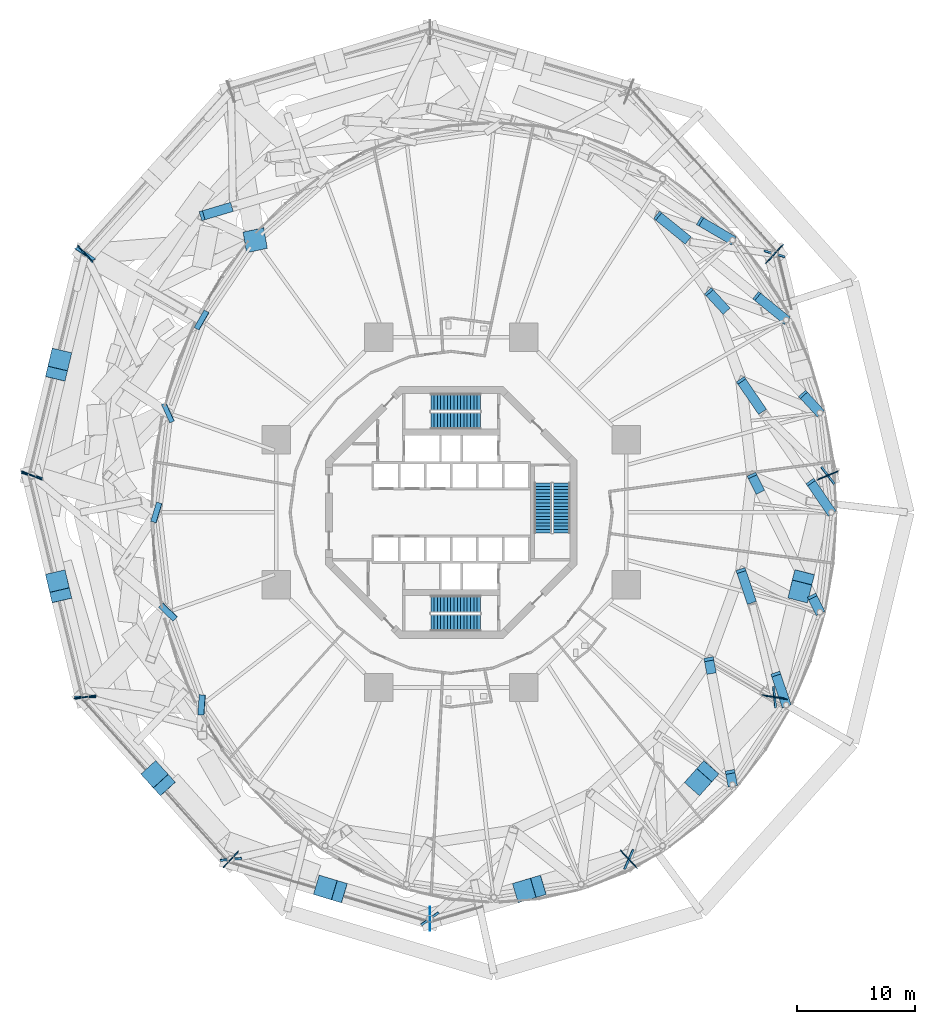
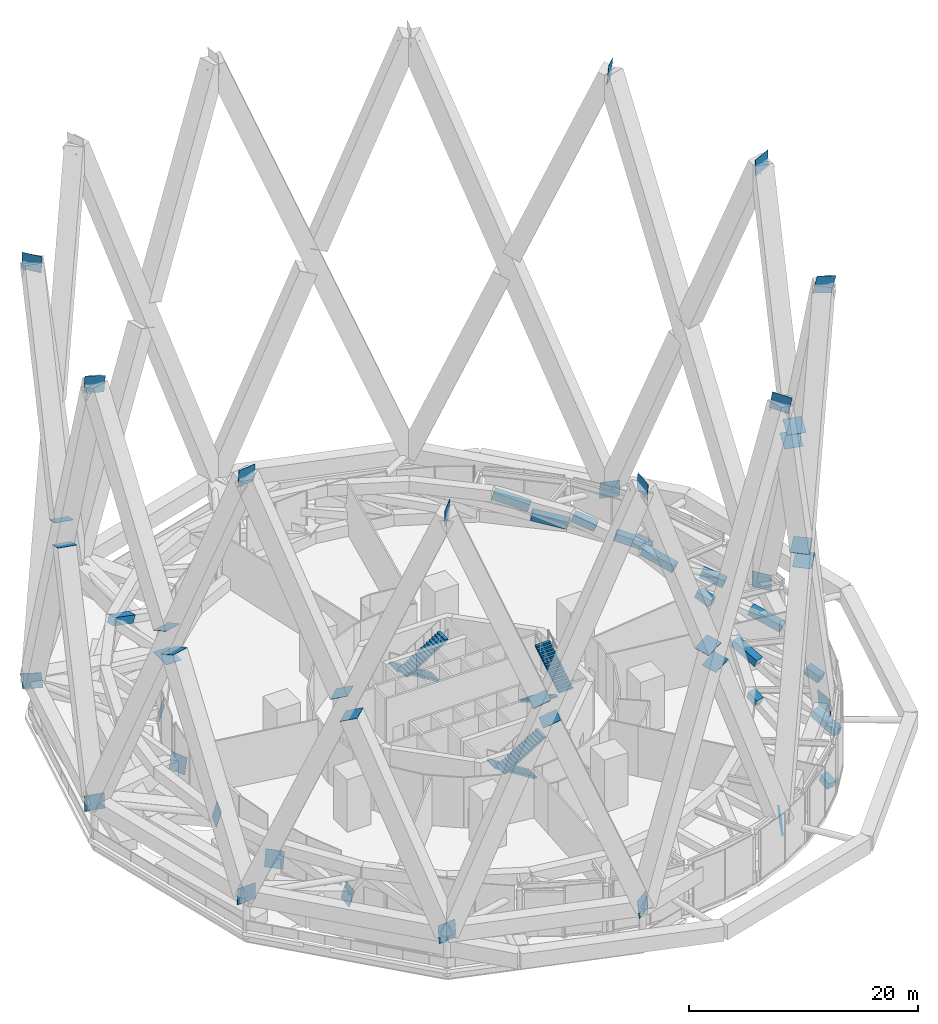
# One storey, part 42 of 51: 52 discrete accessories, 6 stair flights, 3 elements without a shape of their own.
"""IFC4 building model written with IfcOpenShell, lengths in metres."""

from ifc_helpers import new_model, si_unit, direction, frame, origin, origin_2d, place, context, subcontext, project, spatial, polyline, rectangle, outline, extrude, material, layer, layer_set, type_object, element, aggregate, save


model = new_model("IFC4")

# Units and contexts
model_context = context("Model", 3, precision=1e-05, world=origin(), true_north=direction((0.0, 1.0)))
body_context = subcontext(model_context, "Body", "Model", "MODEL_VIEW")
ifc_project = project(units=[si_unit("LENGTHUNIT", "METRE"), si_unit("AREAUNIT", "SQUARE_METRE"), si_unit("VOLUMEUNIT", "CUBIC_METRE"), si_unit("PLANEANGLEUNIT", "RADIAN"), si_unit("MASSUNIT", "GRAM", prefix="KILO")], contexts=[model_context])

# Site, building, storey
site_placement = place(None, origin())
site = spatial("IfcSite", under=ifc_project, at=site_placement, CompositionType="ELEMENT")
building_placement = place(site_placement, origin())
building = spatial("IfcBuilding", under=site, at=building_placement, Name="Nagisa Residences", CompositionType="ELEMENT")
storey_placement = place(building_placement, frame((0.0, 0.0, 67.699951171875)))
storey = spatial("IfcBuildingStorey", under=building, at=storey_placement, Name="L16", CompositionType="ELEMENT", Elevation=67.699951171875)

# Stair, stair flights
ifc_material_1 = material(Name="Concrete C60", Category="concrete")
stair_type = type_object("IfcStairType", Name="Exit stair", PredefinedType="HALF_TURN_STAIR", material=ifc_material_1)
stair_1_placement = place(storey_placement, origin())
stair_1 = element("IfcStair", 1, at=stair_1_placement, inside=storey, type_object=stair_type, Name="L16 Exit stair E", PredefinedType="HALF_TURN_STAIR")
ifc_material_2 = material(Name="Concrete C60", Category="concrete")
stair_flight_type = type_object("IfcStairFlightType", Name="Exit stair flight", PredefinedType="STRAIGHT", material=ifc_material_2)
stair_flight_1_placement = place(storey_placement, frame((7.737060546875, 2.47509765625, 0.0), z_axis=(0.0, 0.0, 1.0), x_axis=(0.0, -1.0, 0.0)))
stair_flight_1 = element("IfcStairFlight", 2, at=stair_flight_1_placement, type_object=stair_flight_type, Name="ST-E flight 1", NumberOfRisers=16, NumberOfTreads=15, PredefinedType="STRAIGHT", RiserHeight=0.175, TreadLength=0.28, context=body_context, shape_type="SweptSolid", body=[
    extrude(outline(polyline([(0.0, 0.0), (0.0, 0.175048828125), (0.280029296875, 0.175048828125), (0.280029296875, 0.35009765625), (0.56005859375, 0.35009765625), (0.56005859375, 0.52490234375), (0.840087890625, 0.52490234375), (0.840087890625, 0.699951171875), (1.1201171875, 0.699951171875), (1.1201171875, 0.875), (1.39990234375, 0.875), (1.39990234375, 1.050048828125), (1.679931640625, 1.050048828125), (1.679931640625, 1.22509765625), (1.9599609375, 1.22509765625), (1.9599609375, 1.39990234375), (2.239990234375, 1.39990234375), (2.239990234375, 1.574951171875), (2.52001953125, 1.574951171875), (2.52001953125, 1.75), (2.800048828125, 1.75), (2.800048828125, 1.925048828125), (3.080078125, 1.925048828125), (3.080078125, 2.10009765625), (3.360107421875, 2.10009765625), (3.360107421875, 2.27490234375), (3.639892578125, 2.27490234375), (3.639892578125, 2.449951171875), (3.919921875, 2.449951171875), (3.919921875, 2.625), (4.199951171875, 2.625), (4.199951171875, 2.800048828125), (4.199951171875, 2.4482421875), (0.28271484375, 0.0), (0.0, 0.0)])), frame((0.0, 0.71240234375, 0.0), z_axis=(0.0, -1.0, 0.0), x_axis=(1.0, 0.0, 0.0)), (0.0, 0.0, 1.0), 1.425048828125),
])
stair_flight_2_placement = place(storey_placement, frame((9.31201171875, -1.72509765625, 2.800048828125), z_axis=(0.0, 0.0, 1.0), x_axis=(0.0, 1.0, 0.0)))
stair_flight_2 = element("IfcStairFlight", 3, at=stair_flight_2_placement, type_object=stair_flight_type, Name="ST-E flight 2", NumberOfRisers=16, NumberOfTreads=15, PredefinedType="STRAIGHT", RiserHeight=0.175, TreadLength=0.28, context=body_context, shape_type="SweptSolid", body=[
    extrude(outline(polyline([(0.0, 0.0), (0.0, 0.175048828125), (0.280029296875, 0.175048828125), (0.280029296875, 0.35009765625), (0.56005859375, 0.35009765625), (0.56005859375, 0.52490234375), (0.840087890625, 0.52490234375), (0.840087890625, 0.699951171875), (1.1201171875, 0.699951171875), (1.1201171875, 0.875), (1.39990234375, 0.875), (1.39990234375, 1.050048828125), (1.679931640625, 1.050048828125), (1.679931640625, 1.22509765625), (1.9599609375, 1.22509765625), (1.9599609375, 1.39990234375), (2.239990234375, 1.39990234375), (2.239990234375, 1.574951171875), (2.52001953125, 1.574951171875), (2.52001953125, 1.75), (2.800048828125, 1.75), (2.800048828125, 1.925048828125), (3.080078125, 1.925048828125), (3.080078125, 2.10009765625), (3.360107421875, 2.10009765625), (3.360107421875, 2.27490234375), (3.639892578125, 2.27490234375), (3.639892578125, 2.449951171875), (3.919921875, 2.449951171875), (3.919921875, 2.625), (4.199951171875, 2.625), (4.199951171875, 2.800048828125), (4.199951171875, 2.4482421875), (0.28271484375, 0.0), (0.0, 0.0)])), frame((0.0, 0.71240234375, 0.0), z_axis=(0.0, -1.0, 0.0), x_axis=(1.0, 0.0, 0.0)), (0.0, 0.0, 1.0), 1.425048828125),
])
aggregate(stair_1, [stair_flight_1, stair_flight_2])

stair_2_placement = place(storey_placement, origin())
stair_2 = element("IfcStair", 4, at=stair_2_placement, inside=storey, type_object=stair_type, Name="L16 Exit stair N", PredefinedType="HALF_TURN_STAIR")
stair_flight_3_placement = place(storey_placement, frame((2.47509765625, 9.31201171875, 0.0), z_axis=(0.0, 0.0, 1.0), x_axis=(-1.0, 0.0, 0.0)))
stair_flight_3 = element("IfcStairFlight", 5, at=stair_flight_3_placement, type_object=stair_flight_type, Name="ST-N flight 1", NumberOfRisers=16, NumberOfTreads=15, PredefinedType="STRAIGHT", RiserHeight=0.175, TreadLength=0.28, context=body_context, shape_type="SweptSolid", body=[
    extrude(outline(polyline([(0.0, 0.0), (0.0, 0.175048828125), (0.280029296875, 0.175048828125), (0.280029296875, 0.35009765625), (0.56005859375, 0.35009765625), (0.56005859375, 0.52490234375), (0.840087890625, 0.52490234375), (0.840087890625, 0.699951171875), (1.1201171875, 0.699951171875), (1.1201171875, 0.875), (1.39990234375, 0.875), (1.39990234375, 1.050048828125), (1.679931640625, 1.050048828125), (1.679931640625, 1.22509765625), (1.9599609375, 1.22509765625), (1.9599609375, 1.39990234375), (2.239990234375, 1.39990234375), (2.239990234375, 1.574951171875), (2.52001953125, 1.574951171875), (2.52001953125, 1.75), (2.800048828125, 1.75), (2.800048828125, 1.925048828125), (3.080078125, 1.925048828125), (3.080078125, 2.10009765625), (3.360107421875, 2.10009765625), (3.360107421875, 2.27490234375), (3.639892578125, 2.27490234375), (3.639892578125, 2.449951171875), (3.919921875, 2.449951171875), (3.919921875, 2.625), (4.199951171875, 2.625), (4.199951171875, 2.800048828125), (4.199951171875, 2.4482421875), (0.28271484375, 0.0), (0.0, 0.0)])), frame((0.0, 0.71240234375, 0.0), z_axis=(0.0, -1.0, 0.0), x_axis=(1.0, 0.0, 0.0)), (0.0, 0.0, 1.0), 1.425048828125),
])
stair_flight_4_placement = place(storey_placement, frame((-1.72509765625, 7.737060546875, 2.800048828125), z_axis=(0.0, 0.0, 1.0), x_axis=(1.0, 0.0, 0.0)))
stair_flight_4 = element("IfcStairFlight", 6, at=stair_flight_4_placement, type_object=stair_flight_type, Name="ST-N flight 2", NumberOfRisers=16, NumberOfTreads=15, PredefinedType="STRAIGHT", RiserHeight=0.175, TreadLength=0.28, context=body_context, shape_type="SweptSolid", body=[
    extrude(outline(polyline([(0.0, 0.0), (0.0, 0.175048828125), (0.280029296875, 0.175048828125), (0.280029296875, 0.35009765625), (0.56005859375, 0.35009765625), (0.56005859375, 0.52490234375), (0.840087890625, 0.52490234375), (0.840087890625, 0.699951171875), (1.1201171875, 0.699951171875), (1.1201171875, 0.875), (1.39990234375, 0.875), (1.39990234375, 1.050048828125), (1.679931640625, 1.050048828125), (1.679931640625, 1.22509765625), (1.9599609375, 1.22509765625), (1.9599609375, 1.39990234375), (2.239990234375, 1.39990234375), (2.239990234375, 1.574951171875), (2.52001953125, 1.574951171875), (2.52001953125, 1.75), (2.800048828125, 1.75), (2.800048828125, 1.925048828125), (3.080078125, 1.925048828125), (3.080078125, 2.10009765625), (3.360107421875, 2.10009765625), (3.360107421875, 2.27490234375), (3.639892578125, 2.27490234375), (3.639892578125, 2.449951171875), (3.919921875, 2.449951171875), (3.919921875, 2.625), (4.199951171875, 2.625), (4.199951171875, 2.800048828125), (4.199951171875, 2.4482421875), (0.28271484375, 0.0), (0.0, 0.0)])), frame((0.0, 0.71240234375, 0.0), z_axis=(0.0, -1.0, 0.0), x_axis=(1.0, 0.0, 0.0)), (0.0, 0.0, 1.0), 1.425048828125),
])
aggregate(stair_2, [stair_flight_3, stair_flight_4])

stair_3_placement = place(storey_placement, origin())
stair_3 = element("IfcStair", 7, at=stair_3_placement, inside=storey, type_object=stair_type, Name="L16 Exit stair S", PredefinedType="HALF_TURN_STAIR")
stair_flight_5_placement = place(storey_placement, frame((2.47509765625, -7.737060546875, 0.0), z_axis=(0.0, 0.0, 1.0), x_axis=(-1.0, 0.0, 0.0)))
stair_flight_5 = element("IfcStairFlight", 8, at=stair_flight_5_placement, type_object=stair_flight_type, Name="ST-S flight 1", NumberOfRisers=16, NumberOfTreads=15, PredefinedType="STRAIGHT", RiserHeight=0.175, TreadLength=0.28, context=body_context, shape_type="SweptSolid", body=[
    extrude(outline(polyline([(0.0, 0.0), (0.0, 0.175048828125), (0.280029296875, 0.175048828125), (0.280029296875, 0.35009765625), (0.56005859375, 0.35009765625), (0.56005859375, 0.52490234375), (0.840087890625, 0.52490234375), (0.840087890625, 0.699951171875), (1.1201171875, 0.699951171875), (1.1201171875, 0.875), (1.39990234375, 0.875), (1.39990234375, 1.050048828125), (1.679931640625, 1.050048828125), (1.679931640625, 1.22509765625), (1.9599609375, 1.22509765625), (1.9599609375, 1.39990234375), (2.239990234375, 1.39990234375), (2.239990234375, 1.574951171875), (2.52001953125, 1.574951171875), (2.52001953125, 1.75), (2.800048828125, 1.75), (2.800048828125, 1.925048828125), (3.080078125, 1.925048828125), (3.080078125, 2.10009765625), (3.360107421875, 2.10009765625), (3.360107421875, 2.27490234375), (3.639892578125, 2.27490234375), (3.639892578125, 2.449951171875), (3.919921875, 2.449951171875), (3.919921875, 2.625), (4.199951171875, 2.625), (4.199951171875, 2.800048828125), (4.199951171875, 2.4482421875), (0.28271484375, 0.0), (0.0, 0.0)])), frame((0.0, 0.71240234375, 0.0), z_axis=(0.0, -1.0, 0.0), x_axis=(1.0, 0.0, 0.0)), (0.0, 0.0, 1.0), 1.425048828125),
])
stair_flight_6_placement = place(storey_placement, frame((-1.72509765625, -9.31201171875, 2.800048828125), z_axis=(0.0, 0.0, 1.0), x_axis=(1.0, 0.0, 0.0)))
stair_flight_6 = element("IfcStairFlight", 9, at=stair_flight_6_placement, type_object=stair_flight_type, Name="ST-S flight 2", NumberOfRisers=16, NumberOfTreads=15, PredefinedType="STRAIGHT", RiserHeight=0.175, TreadLength=0.28, context=body_context, shape_type="SweptSolid", body=[
    extrude(outline(polyline([(0.0, 0.0), (0.0, 0.175048828125), (0.280029296875, 0.175048828125), (0.280029296875, 0.35009765625), (0.56005859375, 0.35009765625), (0.56005859375, 0.52490234375), (0.840087890625, 0.52490234375), (0.840087890625, 0.699951171875), (1.1201171875, 0.699951171875), (1.1201171875, 0.875), (1.39990234375, 0.875), (1.39990234375, 1.050048828125), (1.679931640625, 1.050048828125), (1.679931640625, 1.22509765625), (1.9599609375, 1.22509765625), (1.9599609375, 1.39990234375), (2.239990234375, 1.39990234375), (2.239990234375, 1.574951171875), (2.52001953125, 1.574951171875), (2.52001953125, 1.75), (2.800048828125, 1.75), (2.800048828125, 1.925048828125), (3.080078125, 1.925048828125), (3.080078125, 2.10009765625), (3.360107421875, 2.10009765625), (3.360107421875, 2.27490234375), (3.639892578125, 2.27490234375), (3.639892578125, 2.449951171875), (3.919921875, 2.449951171875), (3.919921875, 2.625), (4.199951171875, 2.625), (4.199951171875, 2.800048828125), (4.199951171875, 2.4482421875), (0.28271484375, 0.0), (0.0, 0.0)])), frame((0.0, 0.71240234375, 0.0), z_axis=(0.0, -1.0, 0.0), x_axis=(1.0, 0.0, 0.0)), (0.0, 0.0, 1.0), 1.425048828125),
])
aggregate(stair_3, [stair_flight_5, stair_flight_6])

# Discrete accessories
ifc_material_3 = material(Name="Steel ASTM A572 Gr 50", Category="steel")
discrete_accessory_type_1 = type_object("IfcDiscreteAccessoryType", Name="Belt node casting BX 800x800x45", PredefinedType="BRACKET", material=ifc_material_3)
for number, where, z_axis, x_axis, name in (
    (10, (32.10009765625, 0.0, 0.60009765625), (-0.540198285162, 0.788871746421, 0.293031022943), (-0.825090812628, -0.565000133554, 0.0), "Belt node 1E01"),
    (11, (26.219482421875, 8.587646484375, 3.7900390625), (-0.540198285162, 0.788871746421, 0.293031022943), (-0.825090812628, -0.565000133554, 0.0), "Belt node 1E01"),
):
    element("IfcDiscreteAccessory", number, at=place(storey_placement, frame(where, z_axis=z_axis, x_axis=x_axis)), inside=storey, type_object=discrete_accessory_type_1, Name=name, PredefinedType="BRACKET", context=body_context, shape_type="SweptSolid", body=[
        extrude(rectangle(XDim=0.800048828125, YDim=0.800048828125, at=origin_2d()), origin(), (0.0, 0.0, 1.0), 3.24169921875),
    ])
for number, where, z_axis, x_axis, name in (
    (12, (31.12890625, 8.41162109375, 0.60009765625), (-0.648060269789, 0.705825778867, 0.286055687948), (-0.736606352347, -0.676321729417, 0.0), "Belt node 1E02"),
    (13, (23.178466796875, 17.071044921875, 4.110107421875), (-0.648060269789, 0.705825778867, 0.286055687948), (-0.736606352347, -0.676321729417, 0.0), "Belt node 1E02"),
):
    element("IfcDiscreteAccessory", number, at=place(storey_placement, frame(where, z_axis=z_axis, x_axis=x_axis)), inside=storey, type_object=discrete_accessory_type_1, Name=name, PredefinedType="BRACKET", context=body_context, shape_type="SweptSolid", body=[
        extrude(rectangle(XDim=0.800048828125, YDim=0.800048828125, at=origin_2d()), origin(), (0.0, 0.0, 1.0), 2.201904296875),
    ])
for number, where, z_axis, x_axis, name in (
    (14, (28.28173828125, 16.25, 0.60009765625), (-0.744758147584, 0.60383822358, 0.284103328652), (-0.629789540183, -0.776765817397, 0.0), "Belt node 1E03"),
    (15, (19.919921875, 23.029541015625, 3.7900390625), (-0.744758147584, 0.60383822358, 0.284103328652), (-0.629789540183, -0.776765817397, 0.0), "Belt node 1E03"),
):
    element("IfcDiscreteAccessory", number, at=place(storey_placement, frame(where, z_axis=z_axis, x_axis=x_axis)), inside=storey, type_object=discrete_accessory_type_1, Name=name, PredefinedType="BRACKET", context=body_context, shape_type="SweptSolid", body=[
        extrude(rectangle(XDim=0.800048828125, YDim=0.800048828125, at=origin_2d()), origin(), (0.0, 0.0, 1.0), 3.34375),
    ])
discrete_accessory_1_placement = place(storey_placement, frame((23.75244140625, 22.98095703125, 0.60009765625), z_axis=(-0.826911447865, 0.483959565785, 0.286357462054), x_axis=(-0.505112223986, -0.863053672248, 0.0)))
element("IfcDiscreteAccessory", 16, at=discrete_accessory_1_placement, inside=storey, type_object=discrete_accessory_type_1, Name="Belt node 1E04", PredefinedType="BRACKET", context=body_context, shape_type="SweptSolid", body=[
    extrude(rectangle(XDim=0.800048828125, YDim=0.800048828125, at=origin_2d()), origin(), (0.0, 0.0, 1.0), 3.3173828125),
])
discrete_accessory_2_placement = place(storey_placement, frame((-18.64794921875, 25.75927734375, 3.7900390625), z_axis=(-0.895108639101, -0.267082948793, 0.356997510736), x_axis=(0.285923801863, -0.958252356913, 0.0)))
element("IfcDiscreteAccessory", 17, at=discrete_accessory_2_placement, inside=storey, type_object=discrete_accessory_type_1, Name="Belt node 1E09", PredefinedType="BRACKET", context=body_context, shape_type="SweptSolid", body=[
    extrude(rectangle(XDim=0.800048828125, YDim=0.800048828125, at=origin_2d()), origin(), (0.0, 0.0, 1.0), 2.660888671875),
])
for number, where, z_axis, x_axis, name in (
    (18, (23.75244140625, -22.98095703125, 0.60009765625), (-0.173208609873, 0.917317800302, 0.358506388666), (-0.982636315951, -0.185542099195, 0.0), "Belt node 1E22"),
    (19, (21.95458984375, -13.46435546875, 4.320068359375), (-0.173410779594, 0.917284664656, 0.358493438584), (-0.982595586276, -0.185757675024, 0.0), "Belt node 1E22"),
):
    element("IfcDiscreteAccessory", number, at=place(storey_placement, frame(where, z_axis=z_axis, x_axis=x_axis)), inside=storey, type_object=discrete_accessory_type_1, Name=name, PredefinedType="BRACKET", context=body_context, shape_type="SweptSolid", body=[
        extrude(rectangle(XDim=0.800048828125, YDim=0.800048828125, at=origin_2d()), origin(), (0.0, 0.0, 1.0), 1.17138671875),
    ])
for number, where, z_axis, x_axis, name in (
    (20, (28.28173828125, -16.25, 0.60009765625), (-0.301187936834, 0.895748386918, 0.326987238343), (-0.947853050068, -0.318707695979, 0.0), "Belt node 1E23"),
    (21, (25.343505859375, -7.511962890625, 3.7900390625), (-0.301264347416, 0.895725712441, 0.32697896117), (-0.94782618424, -0.318787585186, 0.0), "Belt node 1E23"),
):
    element("IfcDiscreteAccessory", number, at=place(storey_placement, frame(where, z_axis=z_axis, x_axis=x_axis)), inside=storey, type_object=discrete_accessory_type_1, Name=name, PredefinedType="BRACKET", context=body_context, shape_type="SweptSolid", body=[
        extrude(rectangle(XDim=0.800048828125, YDim=0.800048828125, at=origin_2d()), origin(), (0.0, 0.0, 1.0), 2.9052734375),
    ])
for number, where, z_axis, x_axis, name in (
    (22, (31.12890625, -8.41162109375, 0.60009765625), (-0.423904156004, 0.852419422483, 0.306082333199), (-0.895393808204, -0.445275115216, 0.0), "Belt node 1E24"),
    (23, (26.0458984375, 1.808837890625, 4.27001953125), (-0.423904156004, 0.852419422483, 0.306082333199), (-0.895393808204, -0.445275115216, 0.0), "Belt node 1E24"),
):
    element("IfcDiscreteAccessory", number, at=place(storey_placement, frame(where, z_axis=z_axis, x_axis=x_axis)), inside=storey, type_object=discrete_accessory_type_1, Name=name, PredefinedType="BRACKET", context=body_context, shape_type="SweptSolid", body=[
        extrude(rectangle(XDim=0.800048828125, YDim=0.800048828125, at=origin_2d()), origin(), (0.0, 0.0, 1.0), 1.535400390625),
    ])
ifc_material_4 = material(Name="Steel ASTM A572 Gr 50", Category="steel")
ifc_layer = layer(ifc_material_4, 0.030029296875)
ifc_layer_set = layer_set([ifc_layer], Name="Node plate")
discrete_accessory_type_2 = type_object("IfcDiscreteAccessoryType", Name="Node plate", PredefinedType="ANCHORPLATE", material=ifc_layer_set)
discrete_accessory_3_placement = place(storey_placement, frame((31.783203125, 3.108642578125, 3.69873046875), z_axis=(0.791843330667, 0.604086664633, 0.089796666364), x_axis=(-0.60740098161, 0.794293141452, 0.012745704436)))
element("IfcDiscreteAccessory", 24, at=discrete_accessory_3_placement, inside=storey, type_object=discrete_accessory_type_2, Name="Node plate ST2B01", PredefinedType="ANCHORPLATE", context=body_context, shape_type="SweptSolid", body=[
    extrude(rectangle(XDim=1.820068359375, YDim=1.820068359375, at=origin_2d()), origin(), (0.0, 0.0, 1.0), 0.02978515625),
])
discrete_accessory_4_placement = place(storey_placement, frame((27.289794921875, 21.810791015625, 3.69873046875), z_axis=(0.283236047861, 0.954910104218, 0.089017043614), x_axis=(-0.958956989205, 0.283280170693, 0.012403134582)))
element("IfcDiscreteAccessory", 25, at=discrete_accessory_4_placement, inside=storey, type_object=discrete_accessory_type_2, Name="Node plate ST2B02", PredefinedType="ANCHORPLATE", context=body_context, shape_type="SweptSolid", body=[
    extrude(rectangle(XDim=1.820068359375, YDim=1.820068359375, at=origin_2d()), origin(), (0.0, 0.0, 1.0), 0.0302734375),
])
discrete_accessory_5_placement = place(storey_placement, frame((-30.88623046875, 21.837646484375, 3.7021484375), z_axis=(-0.53217939472, -0.835112280945, -0.139185380158), x_axis=(0.833584335591, -0.545599411651, 0.086362245587)))
element("IfcDiscreteAccessory", 26, at=discrete_accessory_5_placement, inside=storey, type_object=discrete_accessory_type_2, Name="Node plate ST2B06", PredefinedType="ANCHORPLATE", context=body_context, shape_type="SweptSolid", body=[
    extrude(rectangle(XDim=1.820068359375, YDim=1.820068359375, at=origin_2d()), origin(), (0.0, 0.0, 1.0), 0.02978515625),
])
discrete_accessory_6_placement = place(storey_placement, frame((-35.399169921875, 3.103515625, 3.698486328125), z_axis=(0.284986428571, 0.952668918368, 0.105852102041), x_axis=(0.955676882044, -0.290916290866, 0.045270396905)))
element("IfcDiscreteAccessory", 27, at=discrete_accessory_6_placement, inside=storey, type_object=discrete_accessory_type_2, Name="Node plate ST2B07", PredefinedType="ANCHORPLATE", context=body_context, shape_type="SweptSolid", body=[
    extrude(rectangle(XDim=1.820068359375, YDim=1.820068359375, at=origin_2d()), origin(), (0.0, 0.0, 1.0), 0.030029296875),
])
discrete_accessory_7_placement = place(storey_placement, frame((-30.894287109375, -15.574951171875, 3.701171875), z_axis=(0.008169051357, -0.996624265505, -0.081690513566), x_axis=(0.999745720733, 0.006422853936, 0.021615754054)))
element("IfcDiscreteAccessory", 28, at=discrete_accessory_7_placement, inside=storey, type_object=discrete_accessory_type_2, Name="Node plate ST2B08", PredefinedType="ANCHORPLATE", context=body_context, shape_type="SweptSolid", body=[
    extrude(rectangle(XDim=1.820068359375, YDim=1.820068359375, at=origin_2d()), origin(), (0.0, 0.0, 1.0), 0.02978515625),
])
for number, where, z_axis, x_axis, name in (
    (29, (-18.59619140625, -29.299560546875, 3.701416015625), (-0.089371840622, 0.991214959622, -0.097496553405), (0.995773170579, 0.091003829778, 0.012413529713), "Node plate ST2B09"),
    (30, (-1.791259765625, -34.3095703125, 3.701416015625), (-0.576170409797, 0.811507619433, -0.097380914332), (0.814681289307, 0.579796162857, 0.011437062071), "Node plate ST2B10"),
    (31, (15.01123046875, -29.290771484375, 3.701416015625), (-0.909487669317, 0.406021280945, -0.089324681808), (0.40671682331, 0.913486888737, 0.011096384198), "Node plate ST2B11"),
    (32, (27.279296875, -15.59130859375, 3.69873046875), (0.991214959622, 0.097496553405, 0.089371840622), (-0.09892670305, 0.995025887688, 0.011704283626), "Node plate ST2B12"),
):
    element("IfcDiscreteAccessory", number, at=place(storey_placement, frame(where, z_axis=z_axis, x_axis=x_axis)), inside=storey, type_object=discrete_accessory_type_2, Name=name, PredefinedType="ANCHORPLATE", context=body_context, shape_type="SweptSolid", body=[
        extrude(rectangle(XDim=1.820068359375, YDim=1.820068359375, at=origin_2d()), origin(), (0.0, 0.0, 1.0), 0.030029296875),
    ])
discrete_accessory_8_placement = place(storey_placement, frame((-16.555908203125, 22.98388671875, 0.585693359375), z_axis=(0.220498180898, -0.19599838302, 0.955492117223), x_axis=(-0.161883814358, 0.958662892261, 0.234006601726)))
element("IfcDiscreteAccessory", 33, at=discrete_accessory_8_placement, inside=storey, type_object=discrete_accessory_type_2, Name="Node plate OB204", PredefinedType="ANCHORPLATE", context=body_context, shape_type="SweptSolid", body=[
    extrude(rectangle(XDim=1.820068359375, YDim=1.820068359375, at=origin_2d()), origin(), (0.0, 0.0, 1.0), 0.02978515625),
])
for number, where, z_axis, x_axis, name in (
    (34, (-21.081787109375, 16.25, 0.60009765625), (0.836018030887, -0.47888411478, -0.26785043708), (0.497045922111, 0.867724236905, 0.0), "Node plate OB205"),
    (35, (-24.89990234375, 0.0, 0.60009765625), (0.920160049273, -0.276862315711, -0.276862315711), (0.288125247053, 0.957592732852, 0.0), "Node plate OB207"),
    (36, (-23.928955078125, 8.41162109375, 0.60009765625), (0.883467624769, 0.405260378334, -0.235051019434), (-0.416941823246, 0.908933174677, 0.0), "Node plate OB208"),
    (37, (-21.081787109375, -16.25, 0.60009765625), (0.951439647303, -0.06505570238, -0.300882623506), (0.068216787808, 0.997670521696, 0.0), "Node plate OB209"),
    (38, (-23.928955078125, -8.41162109375, 0.60009765625), (0.66622644827, 0.682475873838, -0.300614373), (-0.715574205881, 0.698536724788, 0.0), "Node plate OB210"),
):
    element("IfcDiscreteAccessory", number, at=place(storey_placement, frame(where, z_axis=z_axis, x_axis=x_axis)), inside=storey, type_object=discrete_accessory_type_2, Name=name, PredefinedType="ANCHORPLATE", context=body_context, shape_type="SweptSolid", body=[
        extrude(rectangle(XDim=1.699951171875, YDim=1.699951171875, at=origin_2d()), origin(), (0.0, 0.0, 1.0), 0.030029296875),
    ])
for number, where, z_axis, x_axis, name in (
    (39, (27.30517578125, 21.815185546875, 48.199462890625), (-0.742269989419, 0.668858671784, 0.040784065353), (-0.190319167603, -0.152069261748, -0.969872957698), "Node plate CD2001"),
    (40, (31.80078125, 3.103759765625, 48.199462890625), (-0.380844691342, 0.923750953467, 0.040515392696), (0.043850444456, 0.061812203394, -0.997124059499), "Node plate CD2002B"),
    (41, (-30.883056640625, 21.835205078125, 48.20068359375), (-0.742269989419, -0.668858671784, -0.040784065353), (0.001657317602, 0.05902997892, -0.998254834642), "Node plate CD2009"),
    (42, (-35.400634765625, 3.103759765625, 48.199462890625), (0.373884900393, 0.926584318366, 0.040639663086), (-0.044267661685, 0.061595680291, -0.997119023135), "Node plate CD2011"),
):
    element("IfcDiscreteAccessory", number, at=place(storey_placement, frame(where, z_axis=z_axis, x_axis=x_axis)), inside=storey, type_object=discrete_accessory_type_2, Name=name, PredefinedType="ANCHORPLATE", context=body_context, shape_type="SweptSolid", body=[
        extrude(rectangle(XDim=1.820068359375, YDim=1.820068359375, at=origin_2d()), origin(), (0.0, 0.0, 1.0), 0.030029296875),
    ])
discrete_accessory_9_placement = place(storey_placement, frame((-33.2509765625, 12.029052734375, 24.8974609375), z_axis=(0.089519694742, 0.382493241171, 0.919611409625), x_axis=(-0.973688178796, 0.227884467378, 0.0)))
element("IfcDiscreteAccessory", 43, at=discrete_accessory_9_placement, inside=storey, type_object=discrete_accessory_type_2, Name="Node plate CD2012A", PredefinedType="ANCHORPLATE", context=body_context, shape_type="SweptSolid", body=[
    extrude(rectangle(XDim=1.699951171875, YDim=1.699951171875, at=origin_2d()), origin(), (0.0, 0.0, 1.0), 0.030029296875),
])
discrete_accessory_10_placement = place(storey_placement, frame((-33.0380859375, 12.913818359375, 27.00244140625), z_axis=(-0.090194238576, -0.385375383007, -0.918341338229), x_axis=(0.973688178796, -0.227884467378, 0.0)))
element("IfcDiscreteAccessory", 44, at=discrete_accessory_10_placement, inside=storey, type_object=discrete_accessory_type_2, Name="Node plate CD2012B", PredefinedType="ANCHORPLATE", context=body_context, shape_type="SweptSolid", body=[
    extrude(rectangle(XDim=1.699951171875, YDim=1.699951171875, at=origin_2d()), origin(), (0.0, 0.0, 1.0), 0.02978515625),
])
discrete_accessory_11_placement = place(storey_placement, frame((-30.891845703125, -15.6044921875, 48.199462890625), z_axis=(-0.154994917667, 0.987072896721, 0.040788136228), x_axis=(-0.040277819836, 0.034938915601, -0.998577472911)))
element("IfcDiscreteAccessory", 45, at=discrete_accessory_11_placement, inside=storey, type_object=discrete_accessory_type_2, Name="Node plate CD2013", PredefinedType="ANCHORPLATE", context=body_context, shape_type="SweptSolid", body=[
    extrude(rectangle(XDim=1.820068359375, YDim=1.820068359375, at=origin_2d()), origin(), (0.0, 0.0, 1.0), 0.030029296875),
])
discrete_accessory_12_placement = place(storey_placement, frame((-33.0380859375, -6.678466796875, 24.8974609375), z_axis=(-0.089519694742, 0.382493241171, 0.919611409625), x_axis=(-0.973688178796, -0.227884467378, 0.0)))
element("IfcDiscreteAccessory", 46, at=discrete_accessory_12_placement, inside=storey, type_object=discrete_accessory_type_2, Name="Node plate CD2014A", PredefinedType="ANCHORPLATE", context=body_context, shape_type="SweptSolid", body=[
    extrude(rectangle(XDim=1.699951171875, YDim=1.699951171875, at=origin_2d()), origin(), (0.0, 0.0, 1.0), 0.030029296875),
])
discrete_accessory_13_placement = place(storey_placement, frame((-33.2509765625, -5.793701171875, 27.00244140625), z_axis=(0.090194238576, -0.385375383007, -0.918341338229), x_axis=(0.973688178796, 0.227884467378, 0.0)))
element("IfcDiscreteAccessory", 47, at=discrete_accessory_13_placement, inside=storey, type_object=discrete_accessory_type_2, Name="Node plate CD2014B", PredefinedType="ANCHORPLATE", context=body_context, shape_type="SweptSolid", body=[
    extrude(rectangle(XDim=1.699951171875, YDim=1.699951171875, at=origin_2d()), origin(), (0.0, 0.0, 1.0), 0.02978515625),
])
discrete_accessory_14_placement = place(storey_placement, frame((-18.6083984375, -29.2744140625, 48.200439453125), z_axis=(0.726851575518, -0.686017217343, -0.03266748654), x_axis=(-0.000739683567, 0.046783182583, -0.998904793609)))
element("IfcDiscreteAccessory", 48, at=discrete_accessory_14_placement, inside=storey, type_object=discrete_accessory_type_2, Name="Node plate CD2015", PredefinedType="ANCHORPLATE", context=body_context, shape_type="SweptSolid", body=[
    extrude(rectangle(XDim=1.820068359375, YDim=1.820068359375, at=origin_2d()), origin(), (0.0, 0.0, 1.0), 0.02978515625),
])
for number, where, z_axis, x_axis, name in (
    (49, (-24.443603515625, -22.773681640625, 24.8564453125), (-0.259170916176, 0.283468189567, 0.923296388876), (-0.738028812002, -0.674769199545, 0.0), "Node plate CD2016A"),
    (50, (-25.048095703125, -22.1005859375, 27.04345703125), (0.261122279503, -0.285602493206, -0.922088049495), (0.738028812002, 0.674769199545, 0.0), "Node plate CD2016B"),
):
    element("IfcDiscreteAccessory", number, at=place(storey_placement, frame(where, z_axis=z_axis, x_axis=x_axis)), inside=storey, type_object=discrete_accessory_type_2, Name=name, PredefinedType="ANCHORPLATE", context=body_context, shape_type="SweptSolid", body=[
        extrude(rectangle(XDim=1.699951171875, YDim=1.699951171875, at=origin_2d()), origin(), (0.0, 0.0, 1.0), 0.030029296875),
    ])
discrete_accessory_15_placement = place(storey_placement, frame((-1.81494140625, -34.29736328125, 48.199951171875), z_axis=(1.0, 0.0, 0.0), x_axis=(0.0, 0.111936112007, -0.993715405349)))
element("IfcDiscreteAccessory", 51, at=discrete_accessory_15_placement, inside=storey, type_object=discrete_accessory_type_2, Name="Node plate CD2017", PredefinedType="ANCHORPLATE", context=body_context, shape_type="SweptSolid", body=[
    extrude(rectangle(XDim=1.820068359375, YDim=1.820068359375, at=origin_2d()), origin(), (0.0, 0.0, 1.0), 0.030029296875),
])
for number, where, z_axis, x_axis, name in (
    (52, (-9.76806640625, -31.91943359375, 24.80908203125), (-0.350929800753, 0.106095056042, 0.930372029904), (-0.289389501276, -0.957211427299, 0.0), "Node plate CD2018A"),
    (53, (-10.62939453125, -31.662353515625, 27.091064453125), (0.350929800753, -0.106095056042, -0.930372029904), (0.289389501276, 0.957211427299, 0.0), "Node plate CD2018B"),
):
    element("IfcDiscreteAccessory", number, at=place(storey_placement, frame(where, z_axis=z_axis, x_axis=x_axis)), inside=storey, type_object=discrete_accessory_type_2, Name=name, PredefinedType="ANCHORPLATE", context=body_context, shape_type="SweptSolid", body=[
        extrude(rectangle(XDim=1.699951171875, YDim=1.699951171875, at=origin_2d()), origin(), (0.0, 0.0, 1.0), 0.030029296875),
    ])
discrete_accessory_16_placement = place(storey_placement, frame((14.986572265625, -29.294921875, 48.199462890625), z_axis=(0.726851575518, 0.686017217343, 0.03266748654), x_axis=(-0.097857243724, 0.15052735197, -0.983750718505)))
element("IfcDiscreteAccessory", 54, at=discrete_accessory_16_placement, inside=storey, type_object=discrete_accessory_type_2, Name="Node plate CD2019", PredefinedType="ANCHORPLATE", context=body_context, shape_type="SweptSolid", body=[
    extrude(rectangle(XDim=1.820068359375, YDim=1.820068359375, at=origin_2d()), origin(), (0.0, 0.0, 1.0), 0.02978515625),
])
for number, where, z_axis, x_axis, name in (
    (55, (7.029541015625, -31.662353515625, 24.80908203125), (-0.358055065928, -0.105788996751, 0.927688125358), (0.283346141017, -0.959017708059, 0.0), "Node plate CD2020A"),
    (56, (6.16796875, -31.91943359375, 27.091064453125), (0.358055065928, 0.105788996751, -0.927688125358), (-0.283346141017, 0.959017708059, 0.0), "Node plate CD2020B"),
):
    element("IfcDiscreteAccessory", number, at=place(storey_placement, frame(where, z_axis=z_axis, x_axis=x_axis)), inside=storey, type_object=discrete_accessory_type_2, Name=name, PredefinedType="ANCHORPLATE", context=body_context, shape_type="SweptSolid", body=[
        extrude(rectangle(XDim=1.699951171875, YDim=1.699951171875, at=origin_2d()), origin(), (0.0, 0.0, 1.0), 0.030029296875),
    ])
discrete_accessory_17_placement = place(storey_placement, frame((27.29638671875, -15.574951171875, 48.20068359375), z_axis=(-0.154994917667, -0.987072896721, -0.040788136228), x_axis=(-0.214797549722, 0.073970415743, -0.973853372037)))
element("IfcDiscreteAccessory", 57, at=discrete_accessory_17_placement, inside=storey, type_object=discrete_accessory_type_2, Name="Node plate CD2021", PredefinedType="ANCHORPLATE", context=body_context, shape_type="SweptSolid", body=[
    extrude(rectangle(XDim=1.820068359375, YDim=1.820068359375, at=origin_2d()), origin(), (0.0, 0.0, 1.0), 0.030029296875),
])
discrete_accessory_18_placement = place(storey_placement, frame((21.447998046875, -22.1005859375, 24.8564453125), z_axis=(-0.251592215957, -0.284055727693, 0.925210084486), x_axis=(0.748588180173, -0.663035245296, 0.0)))
element("IfcDiscreteAccessory", 58, at=discrete_accessory_18_placement, inside=storey, type_object=discrete_accessory_type_2, Name="Node plate CD2022A", PredefinedType="ANCHORPLATE", context=body_context, shape_type="SweptSolid", body=[
    extrude(rectangle(XDim=1.699951171875, YDim=1.699951171875, at=origin_2d()), origin(), (0.0, 0.0, 1.0), 0.030029296875),
])
discrete_accessory_19_placement = place(storey_placement, frame((20.84375, -22.773681640625, 27.04345703125), z_axis=(0.253494467399, 0.286203430934, -0.924028219872), x_axis=(-0.748588180173, 0.663035245296, 0.0)))
element("IfcDiscreteAccessory", 59, at=discrete_accessory_19_placement, inside=storey, type_object=discrete_accessory_type_2, Name="Node plate CD2022B", PredefinedType="ANCHORPLATE", context=body_context, shape_type="SweptSolid", body=[
    extrude(rectangle(XDim=1.699951171875, YDim=1.699951171875, at=origin_2d()), origin(), (0.0, 0.0, 1.0), 0.02978515625),
])
discrete_accessory_20_placement = place(storey_placement, frame((29.651123046875, -5.793701171875, 24.8974609375), z_axis=(-0.09758355357, -0.382202251481, 0.918911796113), x_axis=(0.968917710624, -0.247383245266, 0.0)))
element("IfcDiscreteAccessory", 60, at=discrete_accessory_20_placement, inside=storey, type_object=discrete_accessory_type_2, Name="Node plate CD2024A", PredefinedType="ANCHORPLATE", context=body_context, shape_type="SweptSolid", body=[
    extrude(rectangle(XDim=1.699951171875, YDim=1.699951171875, at=origin_2d()), origin(), (0.0, 0.0, 1.0), 0.030029296875),
])
discrete_accessory_21_placement = place(storey_placement, frame((29.43798828125, -6.678466796875, 27.00244140625), z_axis=(0.098317728718, 0.385077770814, -0.917632134706), x_axis=(-0.968917710624, 0.247383245266, 0.0)))
element("IfcDiscreteAccessory", 61, at=discrete_accessory_21_placement, inside=storey, type_object=discrete_accessory_type_2, Name="Node plate CD2024B", PredefinedType="ANCHORPLATE", context=body_context, shape_type="SweptSolid", body=[
    extrude(rectangle(XDim=1.699951171875, YDim=1.699951171875, at=origin_2d()), origin(), (0.0, 0.0, 1.0), 0.02978515625),
])

save(model, "model.ifc")
